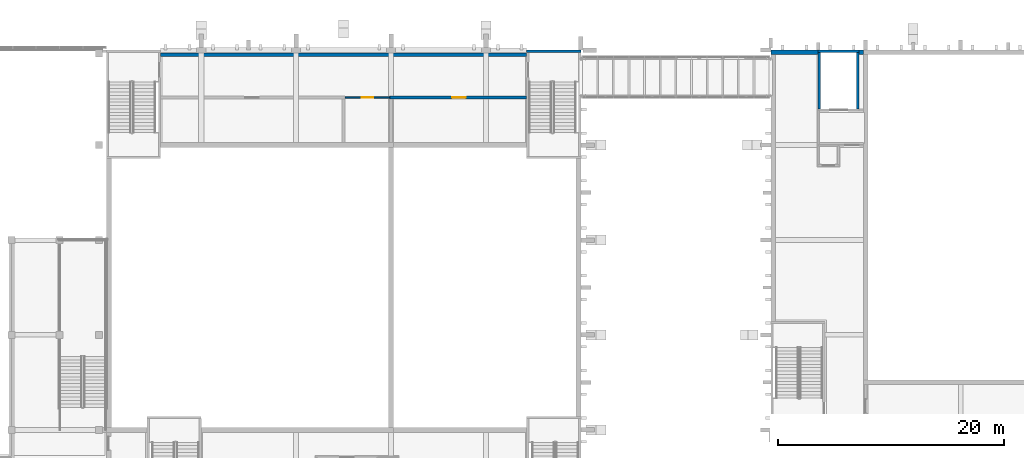
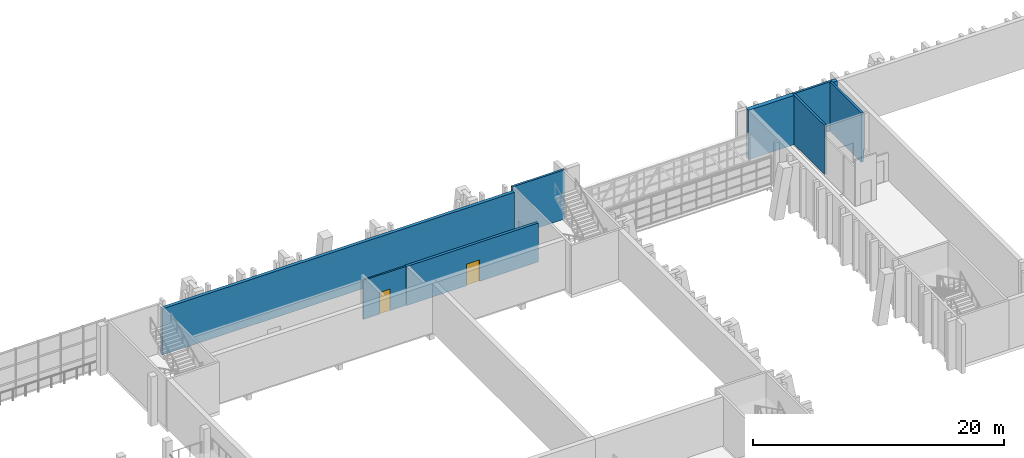
# One storey, part 38 of 91: 9 walls, 2 doors, 2 openings.
"""IFC4 building model written with IfcOpenShell, lengths in metres."""

from ifc_helpers import new_model, si_unit, direction, frame, frame_2d, origin, place, context, subcontext, project, spatial, rectangle, extrude, material, layer, layer_set, type_object, element, fill, save


model = new_model("IFC4")

# Units and contexts
model_context = context("Model", 3, precision=1e-05, world=origin(), true_north=direction((0.0, 1.0)))
body_context = subcontext(model_context, "Body", "Model", "MODEL_VIEW")
ifc_project = project(units=[si_unit("LENGTHUNIT", "METRE"), si_unit("AREAUNIT", "SQUARE_METRE"), si_unit("VOLUMEUNIT", "CUBIC_METRE"), si_unit("PLANEANGLEUNIT", "RADIAN"), si_unit("MASSUNIT", "GRAM", prefix="KILO")], contexts=[model_context])

# Site, building, storey
site_placement = place(None, origin())
site = spatial("IfcSite", under=ifc_project, at=site_placement, CompositionType="ELEMENT")
building_placement = place(site_placement, origin())
building = spatial("IfcBuilding", under=site, at=building_placement, Name="Kiln Court Media Centre", CompositionType="ELEMENT")
storey_placement = place(building_placement, frame((0.0, 0.0, 5.39990234375)))
storey = spatial("IfcBuildingStorey", under=building, at=storey_placement, Name="L01", CompositionType="ELEMENT", Elevation=5.39990234375)

# Walls
ifc_material_1 = material(Name="Concrete C40/50", Category="concrete")
ifc_layer_1 = layer(ifc_material_1, 0.39990234375)
ifc_layer_set_1 = layer_set([ifc_layer_1], Name="Concrete C40/50 auditorium wall 400")
wall_type_1 = type_object("IfcWallType", Name="Concrete C40/50 auditorium wall 400", PredefinedType="SHEAR", material=ifc_layer_set_1)
wall_1_placement = place(storey_placement, frame((117.60009765625, 67.0, 0.0), z_axis=(0.0, 0.0, 1.0), x_axis=(1.0, 0.0, 0.0)))
element("IfcWall", 1, at=wall_1_placement, inside=storey, type_object=wall_type_1, Name="L01-W-1143", PredefinedType="SHEAR", context=body_context, shape_type="SweptSolid", body=[
    extrude(rectangle(XDim=4.199951171875, YDim=0.39990234375, at=frame_2d((2.10009765625, 0.0))), origin(), (0.0, 0.0, 1.0), 4.800048828125),
])
wall_2_placement = place(storey_placement, frame((125.60009765625, 66.800048828125, 0.0), z_axis=(0.0, 0.0, 1.0), x_axis=(0.0, 1.0, 0.0)))
element("IfcWall", 2, at=wall_2_placement, inside=storey, type_object=wall_type_1, Name="L01-W-1144", PredefinedType="SHEAR", context=body_context, shape_type="SweptSolid", body=[
    extrude(rectangle(XDim=0.39990234375, YDim=0.39990234375, at=frame_2d((0.199951171875, 0.0))), origin(), (0.0, 0.0, 1.0), 4.800048828125),
])
ifc_material_2 = material(Name="Concrete C40/50", Category="concrete")
ifc_layer_2 = layer(ifc_material_2, 0.300048828125)
ifc_layer_set_2 = layer_set([ifc_layer_2], Name="Concrete C40/50 board-marked facade wall 300")
wall_type_2 = type_object("IfcWallType", Name="Concrete C40/50 board-marked facade wall 300", PredefinedType="SOLIDWALL", material=ifc_layer_set_2)
wall_3_placement = place(storey_placement, frame((63.60009765625, 66.800048828125, 0.0), z_axis=(0.0, 0.0, 1.0), x_axis=(1.0, 0.0, 0.0)))
element("IfcWall", 3, at=wall_3_placement, inside=storey, type_object=wall_type_2, Name="V1 N facade wall 4003", PredefinedType="SOLIDWALL", context=body_context, shape_type="SweptSolid", body=[
    extrude(rectangle(XDim=32.39990234375, YDim=0.300048828125, at=frame_2d((16.199951171875, 0.0))), origin(), (0.0, 0.0, 1.0), 4.5),
])
ifc_material_3 = material(Name="Concrete C40/50", Category="concrete")
ifc_layer_3 = layer(ifc_material_3, 0.199951171875)
ifc_layer_set_3 = layer_set([ifc_layer_3], Name="Concrete C40/50 shear wall 200")
wall_type_3 = type_object("IfcWallType", Name="Concrete C40/50 shear wall 200", PredefinedType="SHEAR", material=ifc_layer_set_3)
wall_4_placement = place(storey_placement, frame((96.0, 67.10009765625, 0.0), z_axis=(0.0, 0.0, 1.0), x_axis=(1.0, 0.0, 0.0)))
element("IfcWall", 4, at=wall_4_placement, inside=storey, type_object=wall_type_3, Name="L01-W-1045", PredefinedType="SHEAR", context=body_context, shape_type="SweptSolid", body=[
    extrude(rectangle(XDim=4.800048828125, YDim=0.199951171875, at=frame_2d((2.39990234375, 0.0))), origin(), (0.0, 0.0, 1.0), 4.800048828125),
])
wall_5_placement = place(storey_placement, frame((121.800048828125, 67.10009765625, 0.0), z_axis=(0.0, 0.0, 1.0), x_axis=(1.0, 0.0, 0.0)))
element("IfcWall", 5, at=wall_5_placement, inside=storey, type_object=wall_type_3, Name="L01-W-1095", PredefinedType="SHEAR", context=body_context, shape_type="SweptSolid", body=[
    extrude(rectangle(XDim=3.599853515625, YDim=0.199951171875, at=frame_2d((1.7998046875, 0.0))), origin(), (0.0, 0.0, 1.0), 4.800048828125),
])
for number, where, z_axis, x_axis, name in (
    (6, (121.89990234375, 62.0, 0.0), (0.0, 0.0, 1.0), (0.0, 1.0, 0.0), "L01-W-1096"),
    (7, (125.300048828125, 67.0, 0.0), (0.0, 0.0, 1.0), (0.0, -1.0, 0.0), "L01-W-1097"),
):
    element("IfcWall", number, at=place(storey_placement, frame(where, z_axis=z_axis, x_axis=x_axis)), inside=storey, type_object=wall_type_3, Name=name, PredefinedType="SHEAR", context=body_context, shape_type="SweptSolid", body=[
        extrude(rectangle(XDim=5.0, YDim=0.199951171875, at=frame_2d((2.5, 0.0))), origin(), (0.0, 0.0, 1.0), 4.800048828125),
    ])

# Wall, opening, door
ifc_material_4 = material(Name="Gypsum plasterboard", Category="gypsum")
ifc_layer_4 = layer(ifc_material_4, 0.25)
ifc_layer_set_4 = layer_set([ifc_layer_4], Name="Double-leaf acoustic wall 250 EI 120")
wall_type_4 = type_object("IfcWallType", Name="Double-leaf acoustic wall 250 EI 120", PredefinedType="PARTITIONING", material=ifc_layer_set_4)
wall_6_placement = place(storey_placement, frame((83.875, 63.0, 0.0), z_axis=(0.0, 0.0, 1.0), x_axis=(1.0, 0.0, 0.0)))
wall_6 = element("IfcWall", 8, at=wall_6_placement, inside=storey, type_object=wall_type_4, Name="L01 double-leaf acoustic wall", PredefinedType="PARTITIONING", context=body_context, shape_type="SweptSolid", body=[
    extrude(rectangle(XDim=12.125, YDim=0.25, at=frame_2d((6.0625, 0.0))), origin(), (0.0, 0.0, 1.0), 3.800048828125),
])
opening_1_placement = place(wall_6_placement, frame((5.52490234375, 0.0, 0.0)))
opening_1 = element("IfcOpeningElement", 9, at=opening_1_placement, cuts=wall_6, Name="Opening D1026", PredefinedType="OPENING", context=body_context, shape_type="SweptSolid", body=[
    extrude(rectangle(XDim=1.199951171875, YDim=2.10009765625, at=frame_2d((0.60009765625, 1.050048828125))), frame((0.0, 0.135009765625, 0.0), z_axis=(0.0, -1.0, 0.0), x_axis=(1.0, 0.0, 0.0)), (0.0, 0.0, 1.0), 0.27001953125),
])
ifc_material_5 = material(Name="Steel S275", Category="steel")
door_type_1 = type_object("IfcDoorType", Name="Acoustic studio door 1200 x 2100 FD180", OperationType="SINGLE_SWING_LEFT", PredefinedType="DOOR", material=ifc_material_5)
door_1_placement = place(opening_1_placement, origin())
door_1 = element("IfcDoor", 10, at=door_1_placement, inside=storey, type_object=door_type_1, Name="Projection Room Screen 2 / Rear Exit Corridor", OperationType="SINGLE_SWING_RIGHT", OverallHeight=2.10009765625, OverallWidth=1.199951171875, PredefinedType="DOOR", context=body_context, shape_type="SweptSolid", body=[
    extrude(rectangle(XDim=1.199951171875, YDim=2.10009765625, at=frame_2d((0.60009765625, 1.050048828125))), frame((0.0, 0.02490234375, 0.0), z_axis=(0.0, -1.0, 0.0), x_axis=(1.0, 0.0, 0.0)), (0.0, 0.0, 1.0), 0.050048828125),
])
fill(opening_1, door_1)

ifc_material_6 = material(Name="Gypsum plasterboard", Category="gypsum")
ifc_layer_5 = layer(ifc_material_6, 0.14990234375)
ifc_layer_set_5 = layer_set([ifc_layer_5], Name="Gypsum corridor partition 150 EI 60")
wall_type_5 = type_object("IfcWallType", Name="Gypsum corridor partition 150 EI 60", PredefinedType="PARTITIONING", material=ifc_layer_set_5)
wall_7_placement = place(storey_placement, frame((79.925048828125, 63.0, 0.0), z_axis=(0.0, 0.0, 1.0), x_axis=(1.0, 0.0, 0.0)))
wall_7 = element("IfcWall", 11, at=wall_7_placement, inside=storey, type_object=wall_type_5, Name="L01 gypsum corridor partition", PredefinedType="PARTITIONING", context=body_context, shape_type="SweptSolid", body=[
    extrude(rectangle(XDim=3.949951171875, YDim=0.14990234375, at=frame_2d((1.97509765625, 0.0))), origin(), (0.0, 0.0, 1.0), 3.800048828125),
])
opening_2_placement = place(wall_7_placement, frame((1.47509765625, 0.0, 0.0)))
opening_2 = element("IfcOpeningElement", 12, at=opening_2_placement, cuts=wall_7, Name="Opening D1025", PredefinedType="OPENING", context=body_context, shape_type="SweptSolid", body=[
    extrude(rectangle(XDim=1.0, YDim=2.10009765625, at=frame_2d((0.5, 1.050048828125))), frame((0.0, 0.0849609375, 0.0), z_axis=(0.0, -1.0, 0.0), x_axis=(1.0, 0.0, 0.0)), (0.0, 0.0, 1.0), 0.169921875),
])
ifc_material_7 = material(Name="Steel S275", Category="steel")
door_type_2 = type_object("IfcDoorType", Name="Steel corridor door 1000 x 2100 FD30S", OperationType="SINGLE_SWING_LEFT", PredefinedType="DOOR", material=ifc_material_7)
door_2_placement = place(opening_2_placement, origin())
door_2 = element("IfcDoor", 13, at=door_2_placement, inside=storey, type_object=door_type_2, Name="Rewind Store / Rear Exit Corridor", OperationType="SINGLE_SWING_RIGHT", OverallHeight=2.10009765625, OverallWidth=1.0, PredefinedType="DOOR", context=body_context, shape_type="SweptSolid", body=[
    extrude(rectangle(XDim=1.0, YDim=2.10009765625, at=frame_2d((0.5, 1.050048828125))), frame((0.0, 0.02490234375, 0.0), z_axis=(0.0, -1.0, 0.0), x_axis=(1.0, 0.0, 0.0)), (0.0, 0.0, 1.0), 0.050048828125),
])
fill(opening_2, door_2)

save(model, "model.ifc")
